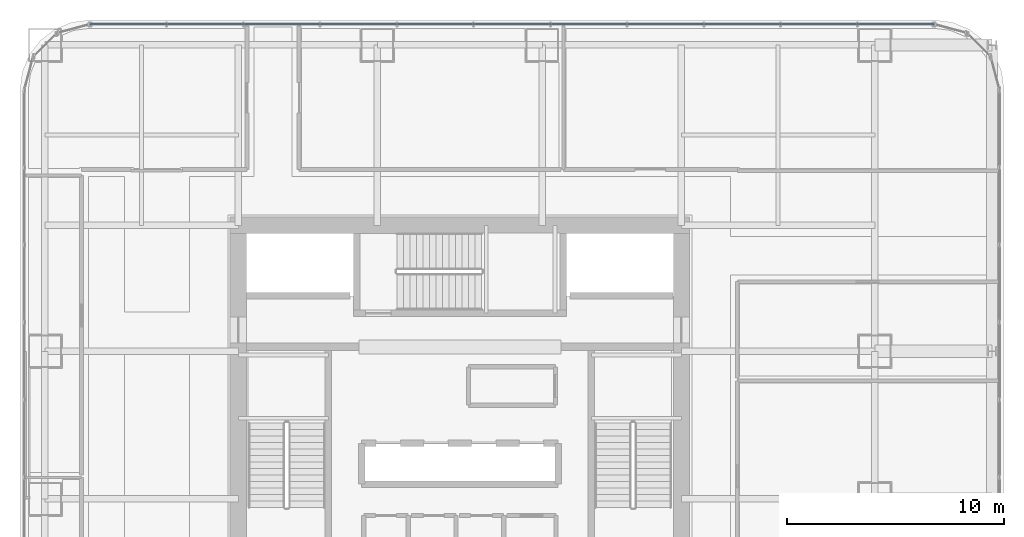
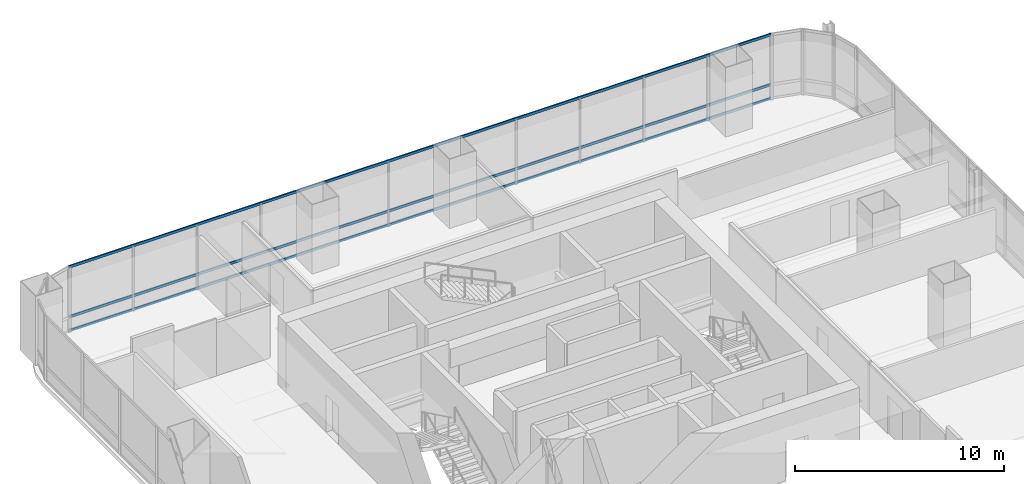
# One storey, part 21 of 35: 3 members, 1 element without a shape of its own.
"""IFC4 building model written with IfcOpenShell, lengths in metres."""

import ifcopenshell
import ifcopenshell.guid

model = None  # the IFC model being written
_history = None  # IfcOwnerHistory: only IFC2X3 demands one
_inside = {}  # id of a spatial element -> (the spatial element, [elements in it])
_under = {}  # id of a project, library or spatial element -> (it, [spatial elements below it])
_declared = {}  # id of a project -> (the project, [libraries it declares])
_typed = {}  # id of a type object -> (the type object, [elements of that type])
_made_of = {}  # id of a material, layer set ... -> (it, [elements and type objects made of it])


def new_model(schema):
    """Start an empty IFC model of exactly this schema.

    Asked for "IFC4X3", IfcOpenShell would pick the latest addendum, in which some entities
    have other attributes; the version numbers below select the first issue.
    IFC2X3 requires an IfcOwnerHistory on every rooted entity: one is made here for all.
    """
    global model, _history
    if schema == "IFC4X3":
        model = ifcopenshell.file(schema_version=(4, 3, 0, 0))
    else:
        model = ifcopenshell.file(schema=schema)
    _inside.clear()
    _under.clear()
    _declared.clear()
    _typed.clear()
    _made_of.clear()
    _history = None
    if model.schema == "IFC2X3":
        org = make("IfcOrganization", Name="unknown")
        user = make(
            "IfcPersonAndOrganization",
            ThePerson=make("IfcPerson", FamilyName="unknown"),
            TheOrganization=org,
        )
        app = make(
            "IfcApplication",
            ApplicationDeveloper=org,
            Version="unknown",
            ApplicationFullName="unknown",
            ApplicationIdentifier="unknown",
        )
        _history = make(
            "IfcOwnerHistory",
            OwningUser=user,
            OwningApplication=app,
            ChangeAction="ADDED",
            CreationDate=0,
        )
    return model


def make(cls, **values):
    """One entity of the class cls with the attributes given. An attribute that is None is left unset."""
    return model.create_entity(
        cls, **{name: value for name, value in values.items() if value is not None}
    )


def rooted(cls, **values):
    """An entity with a GlobalId (a new one), such as an element, a storey or a relation."""
    return make(cls, GlobalId=ifcopenshell.guid.new(), OwnerHistory=_history, **values)


def si_unit(unit_type, name, prefix=None):
    """IfcSIUnit, for example si_unit("LENGTHUNIT", "METRE", prefix="MILLI")."""
    return make("IfcSIUnit", UnitType=unit_type, Prefix=prefix, Name=name)


def assignment(units):
    """IfcUnitAssignment: the units of a project."""
    return None if units is None else make("IfcUnitAssignment", Units=units)


def point(xyz):
    """IfcCartesianPoint."""
    return None if xyz is None else make("IfcCartesianPoint", Coordinates=xyz)


def direction(xyz):
    """IfcDirection."""
    return None if xyz is None else make("IfcDirection", DirectionRatios=xyz)


def frame(location, z_axis=None, x_axis=None):
    """IfcAxis2Placement3D, a coordinate frame: its origin and axes. An axis left out is left unset."""
    return make(
        "IfcAxis2Placement3D",
        Location=point(location),
        Axis=direction(z_axis),
        RefDirection=direction(x_axis),
    )


def frame_2d(location, x_axis=None):
    """IfcAxis2Placement2D, a coordinate frame in the plane: its origin and x axis."""
    return make(
        "IfcAxis2Placement2D", Location=point(location), RefDirection=direction(x_axis)
    )


def origin():
    """The frame at (0, 0, 0) with its axes left unset."""
    return frame((0.0, 0.0, 0.0))


def origin_2d():
    """The frame at (0, 0) in the plane with its x axis left unset."""
    return frame_2d((0.0, 0.0))


def place(relative_to, where):
    """IfcLocalPlacement: puts the frame where relative to a parent placement (None: the world)."""
    return make(
        "IfcLocalPlacement", PlacementRelTo=relative_to, RelativePlacement=where
    )


def context(
    kind, dimensions, precision=None, world=None, true_north=None, identifier=None
):
    """IfcGeometricRepresentationContext, for example the 3D "Model" context."""
    return make(
        "IfcGeometricRepresentationContext",
        ContextIdentifier=identifier,
        ContextType=kind,
        CoordinateSpaceDimension=dimensions,
        Precision=precision,
        WorldCoordinateSystem=world,
        TrueNorth=true_north,
    )


def subcontext(parent, identifier, kind, view, scale=None):
    """IfcGeometricRepresentationSubContext, for example "Body" below "Model"."""
    return make(
        "IfcGeometricRepresentationSubContext",
        ContextIdentifier=identifier,
        ContextType=kind,
        ParentContext=parent,
        TargetScale=scale,
        TargetView=view,
    )


def project(units=None, contexts=None):
    """IfcProject with its units and contexts."""
    return rooted(
        "IfcProject",
        Name="project",
        RepresentationContexts=contexts,
        UnitsInContext=assignment(units),
    )


def spatial(cls, under=None, at=None, **own):
    """A site, building, storey or space (cls), placed at a placement, below another one or the project."""
    s = rooted(cls, ObjectPlacement=at, **own)
    if under is not None:
        _under.setdefault(under.id(), (under, []))[1].append(s)
    return s


def profile(cls, at=None, kind="AREA", **sizes):
    """A parametric profile (cls). Its sizes go by their IFC names, for example OverallWidth=200.0."""
    return make(cls, ProfileType=kind, Position=at, **sizes)


def hollow_rectangle(**sizes):
    """IfcRectangleHollowProfileDef."""
    return profile("IfcRectangleHollowProfileDef", **sizes)


def extrude(swept, where, along, depth):
    """IfcExtrudedAreaSolid: the profile swept, set in the frame where, extruded along a direction by depth."""
    return make(
        "IfcExtrudedAreaSolid",
        SweptArea=swept,
        Position=where,
        ExtrudedDirection=direction(along),
        Depth=depth,
    )


def shape(context_of_items, identifier, shape_type, items):
    """IfcShapeRepresentation: the items that make up one representation, for example the "Body"."""
    return make(
        "IfcShapeRepresentation",
        ContextOfItems=context_of_items,
        RepresentationIdentifier=identifier,
        RepresentationType=shape_type,
        Items=items,
    )


def material(Name=None, Category=None):
    """IfcMaterial."""
    return make("IfcMaterial", Name=Name, Category=Category)


def material_profile(
    of_material, cross_section, Name=None, Category=None, Priority=None
):
    """IfcMaterialProfile: a cross section and its material."""
    return make(
        "IfcMaterialProfile",
        Name=Name,
        Material=of_material,
        Profile=cross_section,
        Priority=Priority,
        Category=Category,
    )


def profile_set(profiles, Name=None, composite=None):
    """IfcMaterialProfileSet."""
    return make(
        "IfcMaterialProfileSet",
        Name=Name,
        MaterialProfiles=profiles,
        CompositeProfile=composite,
    )


def made_of(thing, what):
    """Note that an element or type object is made of a material, layer set ...; save() writes the relation."""
    if what is not None:
        _made_of.setdefault(what.id(), (what, []))[1].append(thing)
    return thing


def type_object(cls, material=None, **own):
    """A type object (cls), such as IfcWallType, which elements share."""
    return made_of(rooted(cls, **own), material)


def element(
    cls,
    number,
    at=None,
    inside=None,
    cuts=None,
    type_object=None,
    material=None,
    context=None,
    identifier="Body",
    shape_type=None,
    held_by="IfcProductDefinitionShape",
    body=None,
    shapes=None,
    **own,
):
    """One element of the class cls, such as IfcWall. Its Tag is "e" and its number.

    at: its placement. inside: the storey or other place that contains it. cuts: it is an
    opening in that element (IfcRelVoidsElement). A single representation is given by context,
    identifier, shape_type and body (its items); several are given by shapes. held_by: the class
    of the entity that holds the representations. save() writes the other relations.
    """
    e = rooted(cls, Tag="e%d" % number, ObjectPlacement=at, **own)
    if body is not None:
        shapes = [shape(context, identifier, shape_type, body)]
    if shapes is not None:
        e.Representation = make(held_by, Representations=shapes)
    if inside is not None:
        _inside.setdefault(inside.id(), (inside, []))[1].append(e)
    if cuts is not None:
        rooted(
            "IfcRelVoidsElement", RelatingBuildingElement=cuts, RelatedOpeningElement=e
        )
    if type_object is not None:
        _typed.setdefault(type_object.id(), (type_object, []))[1].append(e)
    return made_of(e, material)


def aggregate(whole, parts):
    """IfcRelAggregates: a whole, such as a stair, and the parts it consists of."""
    return rooted("IfcRelAggregates", RelatingObject=whole, RelatedObjects=parts)


def save(model, path):
    """Write the relations noted so far, then the file.

    IfcRelAggregates (storeys below a building ...), IfcRelContainedInSpatialStructure (elements
    in a storey), IfcRelDefinesByType, IfcRelAssociatesMaterial and IfcRelDeclares: one each for
    every whole, place, type object, material and project.
    """
    for whole, parts in _under.values():
        aggregate(whole, parts)
    for where, things in _inside.values():
        rooted(
            "IfcRelContainedInSpatialStructure",
            RelatedElements=things,
            RelatingStructure=where,
        )
    for kind, things in _typed.values():
        rooted("IfcRelDefinesByType", RelatedObjects=things, RelatingType=kind)
    for what, things in _made_of.values():
        rooted("IfcRelAssociatesMaterial", RelatedObjects=things, RelatingMaterial=what)
    for by, libraries in _declared.values():
        rooted("IfcRelDeclares", RelatingContext=by, RelatedDefinitions=libraries)
    model.write(path)


model = new_model("IFC4")

# Units and contexts
model_context = context("Model", 3, precision=1e-05, world=origin(), true_north=direction((0.0, 1.0)))
body_context = subcontext(model_context, "Body", "Model", "MODEL_VIEW")
ifc_project = project(units=[si_unit("LENGTHUNIT", "METRE"), si_unit("AREAUNIT", "SQUARE_METRE"), si_unit("VOLUMEUNIT", "CUBIC_METRE"), si_unit("PLANEANGLEUNIT", "RADIAN"), si_unit("MASSUNIT", "GRAM", prefix="KILO")], contexts=[model_context])

# Site, building, storey
site_placement = place(None, origin())
site = spatial("IfcSite", under=ifc_project, at=site_placement, CompositionType="ELEMENT")
building_placement = place(site_placement, origin())
building = spatial("IfcBuilding", under=site, at=building_placement, Name="Punatoya Terracotta Tower", CompositionType="ELEMENT")
storey_placement = place(building_placement, frame((0.0, 0.0, 72.75)))
storey = spatial("IfcBuildingStorey", under=building, at=storey_placement, Name="L16", CompositionType="ELEMENT", Elevation=72.75)

# Curtain wall, members
ifc_material_1 = material(Name="Aluminium 6063-T6 + Double Low-E Glass", Category="aluminium")
curtain_wall_type = type_object("IfcCurtainWallType", Name="CW-M1", PredefinedType="NOTDEFINED", material=ifc_material_1)
curtain_wall_placement = place(storey_placement, origin())
curtain_wall = element("IfcCurtainWall", 1, at=curtain_wall_placement, inside=storey, type_object=curtain_wall_type, Name="L16 Curtain Wall CW-L16-N09-1", PredefinedType="NOTDEFINED")
ifc_material_2 = material(Name="Aluminium 6063-T6", Category="aluminium")
ifc_material_profile = material_profile(ifc_material_2, hollow_rectangle(XDim=0.068115234375, YDim=0.14990234375, WallThickness=0.00390625, at=origin_2d()))
ifc_profile_set = profile_set([ifc_material_profile], Name="Aluminium 6063-T6")
member_type = type_object("IfcMemberType", Name="CW-TRN-TYP", PredefinedType="USERDEFINED", material=ifc_profile_set)
member_1_placement = place(storey_placement, frame((21.8369140625, 18.449951171875, 0.0400390625), z_axis=(-1.0, 0.0, 0.0), x_axis=(0.0, -1.0, 0.0)))
member_1 = element("IfcMember", 2, at=member_1_placement, type_object=member_type, Name="CW-L16-N09-1 Transom 1", ObjectType="TRANSOM", PredefinedType="USERDEFINED", context=body_context, shape_type="SweptSolid", body=[
    extrude(hollow_rectangle(XDim=0.068115234375, YDim=0.14990234375, WallThickness=0.00390625, at=origin_2d()), origin(), (0.0, 0.0, 1.0), 38.873779296875),
])
member_2_placement = place(storey_placement, frame((21.8369140625, 18.449951171875, 0.85009765625), z_axis=(-1.0, 0.0, 0.0), x_axis=(0.0, -1.0, 0.0)))
member_2 = element("IfcMember", 3, at=member_2_placement, type_object=member_type, Name="CW-L16-N09-1 Transom 2", ObjectType="TRANSOM", PredefinedType="USERDEFINED", context=body_context, shape_type="SweptSolid", body=[
    extrude(hollow_rectangle(XDim=0.068115234375, YDim=0.14990234375, WallThickness=0.00390625, at=origin_2d()), origin(), (0.0, 0.0, 1.0), 38.873779296875),
])
member_3_placement = place(storey_placement, frame((21.8369140625, 18.449951171875, 3.77001953125), z_axis=(-1.0, 0.0, 0.0), x_axis=(0.0, -1.0, 0.0)))
member_3 = element("IfcMember", 4, at=member_3_placement, type_object=member_type, Name="CW-L16-N09-1 Transom 3", ObjectType="TRANSOM", PredefinedType="USERDEFINED", context=body_context, shape_type="SweptSolid", body=[
    extrude(hollow_rectangle(XDim=0.068115234375, YDim=0.14990234375, WallThickness=0.00390625, at=origin_2d()), origin(), (0.0, 0.0, 1.0), 38.873779296875),
])
aggregate(curtain_wall, [member_1, member_2, member_3])

save(model, "model.ifc")
